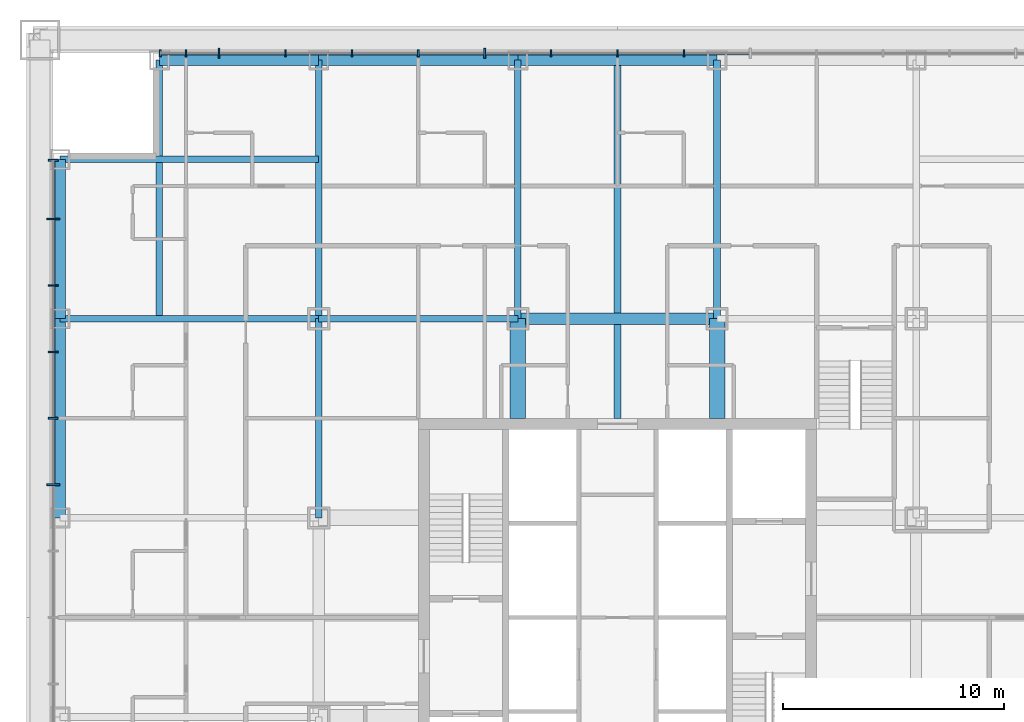
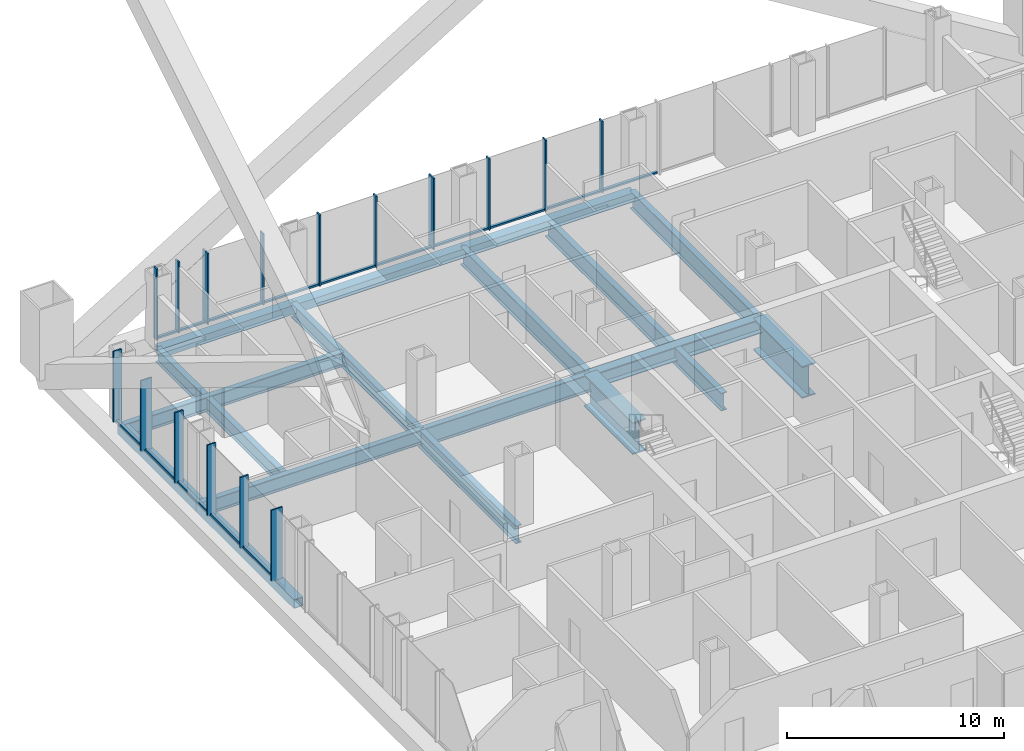
# One storey, part 8 of 21: 31 members, 17 beams, 2 elements without a shape of their own.
"""IFC4 building model written with IfcOpenShell, lengths in metres."""

from ifc_helpers import new_model, si_unit, direction, frame, origin, origin_2d, place, context, subcontext, project, spatial, rectangle, hollow_rectangle, i_section, extrude, material, layer, layer_set, material_profile, profile_set, type_object, element, aggregate, save


model = new_model("IFC4")

# Units and contexts
model_context = context("Model", 3, precision=1e-05, world=origin(), true_north=direction((0.0, 1.0)))
body_context = subcontext(model_context, "Body", "Model", "MODEL_VIEW")
ifc_project = project(units=[si_unit("LENGTHUNIT", "METRE"), si_unit("AREAUNIT", "SQUARE_METRE"), si_unit("VOLUMEUNIT", "CUBIC_METRE"), si_unit("PLANEANGLEUNIT", "RADIAN"), si_unit("MASSUNIT", "GRAM", prefix="KILO")], contexts=[model_context])

# Site, building, storey
site_placement = place(None, origin())
site = spatial("IfcSite", under=ifc_project, at=site_placement, CompositionType="ELEMENT")
building_placement = place(site_placement, origin())
building = spatial("IfcBuilding", under=site, at=building_placement, Name="Malebo Sky Hospital", CompositionType="ELEMENT")
storey_placement = place(building_placement, frame((0.0, 0.0, 31.0)))
storey = spatial("IfcBuildingStorey", under=building, at=storey_placement, Name="L06", CompositionType="ELEMENT", Elevation=31.0)

# Curtain wall, members
ifc_material_1 = material(Name="Anodised aluminium, natural silver", Category="aluminium")
ifc_layer_1 = layer(ifc_material_1, 0.25)
ifc_layer_set_1 = layer_set([ifc_layer_1], Name="WARD CURTAIN WALL NORTH AND SOUTH")
curtain_wall_type_1 = type_object("IfcCurtainWallType", Name="WARD CURTAIN WALL NORTH AND SOUTH", PredefinedType="NOTDEFINED", material=ifc_layer_set_1)
curtain_wall_1_placement = place(storey_placement, origin())
curtain_wall_1 = element("IfcCurtainWall", 1, at=curtain_wall_1_placement, inside=storey, type_object=curtain_wall_type_1, Name="NS curtain wall N", PredefinedType="NOTDEFINED")
ifc_material_profile_1 = material_profile(ifc_material_1, rectangle(XDim=0.14990234375, YDim=0.10009765625, at=origin_2d()), Name="ALUMINIUM TRANSOM 150x100")
ifc_profile_set_1 = profile_set([ifc_material_profile_1], Name="Anodised aluminium, natural silver")
member_type_1 = type_object("IfcMemberType", Name="ALUMINIUM TRANSOM 150x100", PredefinedType="USERDEFINED", material=ifc_profile_set_1)
member_1_placement = place(storey_placement, frame((39.375, 87.5, 0.050048828125), z_axis=(1.0, 0.0, 0.0), x_axis=(0.0, 1.0, 0.0)))
member_1 = element("IfcMember", 2, at=member_1_placement, type_object=member_type_1, Name="Transom 1", ObjectType="TRANSOM", PredefinedType="USERDEFINED", context=body_context, shape_type="SweptSolid", body=[
    extrude(rectangle(XDim=0.14990234375, YDim=0.10009765625, at=origin_2d()), origin(), (0.0, 0.0, 1.0), 1.08740234375),
])
member_2_placement = place(storey_placement, frame((40.53759765625, 87.5, 0.050048828125), z_axis=(1.0, 0.0, 0.0), x_axis=(0.0, 1.0, 0.0)))
member_2 = element("IfcMember", 3, at=member_2_placement, type_object=member_type_1, Name="Transom 2", ObjectType="TRANSOM", PredefinedType="USERDEFINED", context=body_context, shape_type="SweptSolid", body=[
    extrude(rectangle(XDim=0.14990234375, YDim=0.10009765625, at=origin_2d()), origin(), (0.0, 0.0, 1.0), 1.4248046875),
])
member_3_placement = place(storey_placement, frame((42.03759765625, 87.5, 0.050048828125), z_axis=(1.0, 0.0, 0.0), x_axis=(0.0, 1.0, 0.0)))
member_3 = element("IfcMember", 4, at=member_3_placement, type_object=member_type_1, Name="Transom 3", ObjectType="TRANSOM", PredefinedType="USERDEFINED", context=body_context, shape_type="SweptSolid", body=[
    extrude(rectangle(XDim=0.14990234375, YDim=0.10009765625, at=origin_2d()), origin(), (0.0, 0.0, 1.0), 2.9248046875),
])
member_4_placement = place(storey_placement, frame((45.03759765625, 87.5, 0.050048828125), z_axis=(1.0, 0.0, 0.0), x_axis=(0.0, 1.0, 0.0)))
member_4 = element("IfcMember", 5, at=member_4_placement, type_object=member_type_1, Name="Transom 4", ObjectType="TRANSOM", PredefinedType="USERDEFINED", context=body_context, shape_type="SweptSolid", body=[
    extrude(rectangle(XDim=0.14990234375, YDim=0.10009765625, at=origin_2d()), origin(), (0.0, 0.0, 1.0), 2.9248046875),
])
member_5_placement = place(storey_placement, frame((48.03759765625, 87.5, 0.050048828125), z_axis=(1.0, 0.0, 0.0), x_axis=(0.0, 1.0, 0.0)))
member_5 = element("IfcMember", 6, at=member_5_placement, type_object=member_type_1, Name="Transom 5", ObjectType="TRANSOM", PredefinedType="USERDEFINED", context=body_context, shape_type="SweptSolid", body=[
    extrude(rectangle(XDim=0.14990234375, YDim=0.10009765625, at=origin_2d()), origin(), (0.0, 0.0, 1.0), 2.9248046875),
])
member_6_placement = place(storey_placement, frame((51.03759765625, 87.5, 0.050048828125), z_axis=(1.0, 0.0, 0.0), x_axis=(0.0, 1.0, 0.0)))
member_6 = element("IfcMember", 7, at=member_6_placement, type_object=member_type_1, Name="Transom 6", ObjectType="TRANSOM", PredefinedType="USERDEFINED", context=body_context, shape_type="SweptSolid", body=[
    extrude(rectangle(XDim=0.14990234375, YDim=0.10009765625, at=origin_2d()), origin(), (0.0, 0.0, 1.0), 2.9248046875),
])
member_7_placement = place(storey_placement, frame((54.03759765625, 87.5, 0.050048828125), z_axis=(1.0, 0.0, 0.0), x_axis=(0.0, 1.0, 0.0)))
member_7 = element("IfcMember", 8, at=member_7_placement, type_object=member_type_1, Name="Transom 7", ObjectType="TRANSOM", PredefinedType="USERDEFINED", context=body_context, shape_type="SweptSolid", body=[
    extrude(rectangle(XDim=0.14990234375, YDim=0.10009765625, at=origin_2d()), origin(), (0.0, 0.0, 1.0), 2.9248046875),
])
member_8_placement = place(storey_placement, frame((57.03759765625, 87.5, 0.050048828125), z_axis=(1.0, 0.0, 0.0), x_axis=(0.0, 1.0, 0.0)))
member_8 = element("IfcMember", 9, at=member_8_placement, type_object=member_type_1, Name="Transom 8", ObjectType="TRANSOM", PredefinedType="USERDEFINED", context=body_context, shape_type="SweptSolid", body=[
    extrude(rectangle(XDim=0.14990234375, YDim=0.10009765625, at=origin_2d()), origin(), (0.0, 0.0, 1.0), 2.9248046875),
])
member_9_placement = place(storey_placement, frame((60.03759765625, 87.5, 0.050048828125), z_axis=(1.0, 0.0, 0.0), x_axis=(0.0, 1.0, 0.0)))
member_9 = element("IfcMember", 10, at=member_9_placement, type_object=member_type_1, Name="Transom 9", ObjectType="TRANSOM", PredefinedType="USERDEFINED", context=body_context, shape_type="SweptSolid", body=[
    extrude(rectangle(XDim=0.14990234375, YDim=0.10009765625, at=origin_2d()), origin(), (0.0, 0.0, 1.0), 2.9248046875),
])
member_10_placement = place(storey_placement, frame((63.03759765625, 87.5, 0.050048828125), z_axis=(1.0, 0.0, 0.0), x_axis=(0.0, 1.0, 0.0)))
member_10 = element("IfcMember", 11, at=member_10_placement, type_object=member_type_1, Name="Transom 10", ObjectType="TRANSOM", PredefinedType="USERDEFINED", context=body_context, shape_type="SweptSolid", body=[
    extrude(rectangle(XDim=0.14990234375, YDim=0.10009765625, at=origin_2d()), origin(), (0.0, 0.0, 1.0), 2.9248046875),
])

ifc_layer_2 = layer(ifc_material_1, 0.25)
ifc_layer_set_2 = layer_set([ifc_layer_2], Name="WARD CURTAIN WALL EAST AND WEST")
curtain_wall_type_2 = type_object("IfcCurtainWallType", Name="WARD CURTAIN WALL EAST AND WEST", PredefinedType="NOTDEFINED", material=ifc_layer_set_2)
curtain_wall_2_placement = place(storey_placement, origin())
curtain_wall_2 = element("IfcCurtainWall", 12, at=curtain_wall_2_placement, inside=storey, type_object=curtain_wall_type_2, Name="EW curtain wall W", PredefinedType="NOTDEFINED")
member_11_placement = place(storey_placement, frame((34.5, 68.03759765625, 0.050048828125), z_axis=(0.0, 1.0, 0.0), x_axis=(-1.0, 0.0, 0.0)))
member_11 = element("IfcMember", 13, at=member_11_placement, type_object=member_type_1, Name="Transom 11", ObjectType="TRANSOM", PredefinedType="USERDEFINED", context=body_context, shape_type="SweptSolid", body=[
    extrude(rectangle(XDim=0.14990234375, YDim=0.10009765625, at=origin_2d()), origin(), (0.0, 0.0, 1.0), 2.9248046875),
])
member_12_placement = place(storey_placement, frame((34.5, 71.03759765625, 0.050048828125), z_axis=(0.0, 1.0, 0.0), x_axis=(-1.0, 0.0, 0.0)))
member_12 = element("IfcMember", 14, at=member_12_placement, type_object=member_type_1, Name="Transom 12", ObjectType="TRANSOM", PredefinedType="USERDEFINED", context=body_context, shape_type="SweptSolid", body=[
    extrude(rectangle(XDim=0.14990234375, YDim=0.10009765625, at=origin_2d()), origin(), (0.0, 0.0, 1.0), 2.9248046875),
])
member_13_placement = place(storey_placement, frame((34.5, 74.03759765625, 0.050048828125), z_axis=(0.0, 1.0, 0.0), x_axis=(-1.0, 0.0, 0.0)))
member_13 = element("IfcMember", 15, at=member_13_placement, type_object=member_type_1, Name="Transom 13", ObjectType="TRANSOM", PredefinedType="USERDEFINED", context=body_context, shape_type="SweptSolid", body=[
    extrude(rectangle(XDim=0.14990234375, YDim=0.10009765625, at=origin_2d()), origin(), (0.0, 0.0, 1.0), 2.9248046875),
])
member_14_placement = place(storey_placement, frame((34.5, 77.03759765625, 0.050048828125), z_axis=(0.0, 1.0, 0.0), x_axis=(-1.0, 0.0, 0.0)))
member_14 = element("IfcMember", 16, at=member_14_placement, type_object=member_type_1, Name="Transom 14", ObjectType="TRANSOM", PredefinedType="USERDEFINED", context=body_context, shape_type="SweptSolid", body=[
    extrude(rectangle(XDim=0.14990234375, YDim=0.10009765625, at=origin_2d()), origin(), (0.0, 0.0, 1.0), 2.9248046875),
])
member_15_placement = place(storey_placement, frame((34.5, 80.03759765625, 0.050048828125), z_axis=(0.0, 1.0, 0.0), x_axis=(-1.0, 0.0, 0.0)))
member_15 = element("IfcMember", 17, at=member_15_placement, type_object=member_type_1, Name="Transom 15", ObjectType="TRANSOM", PredefinedType="USERDEFINED", context=body_context, shape_type="SweptSolid", body=[
    extrude(rectangle(XDim=0.14990234375, YDim=0.10009765625, at=origin_2d()), origin(), (0.0, 0.0, 1.0), 2.58740234375),
])

# Member
ifc_material_profile_2 = material_profile(ifc_material_1, rectangle(XDim=0.074951171875, YDim=0.300048828125, at=origin_2d()), Name="CW1 ALUMINIUM FIN MULLION 75x300")
ifc_profile_set_2 = profile_set([ifc_material_profile_2], Name="Anodised aluminium, natural silver")
member_type_2 = type_object("IfcMemberType", Name="CW1 ALUMINIUM FIN MULLION 75x300", PredefinedType="MULLION", material=ifc_profile_set_2)
member_16_placement = place(storey_placement, frame((39.33740234375, 87.5, 0.0), z_axis=(0.0, 0.0, 1.0), x_axis=(1.0, 0.0, 0.0)))
member_16 = element("IfcMember", 18, at=member_16_placement, type_object=member_type_2, Name="Fin mullion 1", PredefinedType="MULLION", context=body_context, shape_type="SweptSolid", body=[
    extrude(rectangle(XDim=0.074951171875, YDim=0.300048828125, at=origin_2d()), origin(), (0.0, 0.0, 1.0), 4.0),
])

member_17_placement = place(storey_placement, frame((40.5, 87.5, 0.0), z_axis=(0.0, 0.0, 1.0), x_axis=(1.0, 0.0, 0.0)))
member_17 = element("IfcMember", 19, at=member_17_placement, type_object=member_type_2, Name="Fin mullion 2", PredefinedType="MULLION", context=body_context, shape_type="SweptSolid", body=[
    extrude(rectangle(XDim=0.074951171875, YDim=0.300048828125, at=origin_2d()), origin(), (0.0, 0.0, 1.0), 4.0),
])

member_18_placement = place(storey_placement, frame((45.0, 87.5, 0.0), z_axis=(0.0, 0.0, 1.0), x_axis=(1.0, 0.0, 0.0)))
member_18 = element("IfcMember", 20, at=member_18_placement, type_object=member_type_2, Name="Fin mullion 4", PredefinedType="MULLION", context=body_context, shape_type="SweptSolid", body=[
    extrude(rectangle(XDim=0.074951171875, YDim=0.300048828125, at=origin_2d()), origin(), (0.0, 0.0, 1.0), 4.0),
])

member_19_placement = place(storey_placement, frame((48.0, 87.5, 0.0), z_axis=(0.0, 0.0, 1.0), x_axis=(1.0, 0.0, 0.0)))
member_19 = element("IfcMember", 21, at=member_19_placement, type_object=member_type_2, Name="Fin mullion 5", PredefinedType="MULLION", context=body_context, shape_type="SweptSolid", body=[
    extrude(rectangle(XDim=0.074951171875, YDim=0.300048828125, at=origin_2d()), origin(), (0.0, 0.0, 1.0), 4.0),
])

member_20_placement = place(storey_placement, frame((51.0, 87.5, 0.0), z_axis=(0.0, 0.0, 1.0), x_axis=(1.0, 0.0, 0.0)))
member_20 = element("IfcMember", 22, at=member_20_placement, type_object=member_type_2, Name="Fin mullion 6", PredefinedType="MULLION", context=body_context, shape_type="SweptSolid", body=[
    extrude(rectangle(XDim=0.074951171875, YDim=0.300048828125, at=origin_2d()), origin(), (0.0, 0.0, 1.0), 4.0),
])

member_21_placement = place(storey_placement, frame((57.0, 87.5, 0.0), z_axis=(0.0, 0.0, 1.0), x_axis=(1.0, 0.0, 0.0)))
member_21 = element("IfcMember", 23, at=member_21_placement, type_object=member_type_2, Name="Fin mullion 8", PredefinedType="MULLION", context=body_context, shape_type="SweptSolid", body=[
    extrude(rectangle(XDim=0.074951171875, YDim=0.300048828125, at=origin_2d()), origin(), (0.0, 0.0, 1.0), 4.0),
])

member_22_placement = place(storey_placement, frame((60.0, 87.5, 0.0), z_axis=(0.0, 0.0, 1.0), x_axis=(1.0, 0.0, 0.0)))
member_22 = element("IfcMember", 24, at=member_22_placement, type_object=member_type_2, Name="Fin mullion 9", PredefinedType="MULLION", context=body_context, shape_type="SweptSolid", body=[
    extrude(rectangle(XDim=0.074951171875, YDim=0.300048828125, at=origin_2d()), origin(), (0.0, 0.0, 1.0), 4.0),
])

member_23_placement = place(storey_placement, frame((63.0, 87.5, 0.0), z_axis=(0.0, 0.0, 1.0), x_axis=(1.0, 0.0, 0.0)))
member_23 = element("IfcMember", 25, at=member_23_placement, type_object=member_type_2, Name="Fin mullion 10", PredefinedType="MULLION", context=body_context, shape_type="SweptSolid", body=[
    extrude(rectangle(XDim=0.074951171875, YDim=0.300048828125, at=origin_2d()), origin(), (0.0, 0.0, 1.0), 4.0),
])

ifc_material_profile_3 = material_profile(ifc_material_1, rectangle(XDim=0.074951171875, YDim=0.449951171875, at=origin_2d()), Name="CW1 ALUMINIUM FIN MULLION 75x450")
ifc_profile_set_3 = profile_set([ifc_material_profile_3], Name="Anodised aluminium, natural silver")
member_type_3 = type_object("IfcMemberType", Name="CW1 ALUMINIUM FIN MULLION 75x450", PredefinedType="MULLION", material=ifc_profile_set_3)
member_24_placement = place(storey_placement, frame((42.0, 87.5, 0.0), z_axis=(0.0, 0.0, 1.0), x_axis=(1.0, 0.0, 0.0)))
member_24 = element("IfcMember", 26, at=member_24_placement, type_object=member_type_3, Name="Fin mullion 3", PredefinedType="MULLION", context=body_context, shape_type="SweptSolid", body=[
    extrude(rectangle(XDim=0.074951171875, YDim=0.449951171875, at=origin_2d()), origin(), (0.0, 0.0, 1.0), 4.0),
])

member_25_placement = place(storey_placement, frame((54.0, 87.5, 0.0), z_axis=(0.0, 0.0, 1.0), x_axis=(1.0, 0.0, 0.0)))
member_25 = element("IfcMember", 27, at=member_25_placement, type_object=member_type_3, Name="Fin mullion 7", PredefinedType="MULLION", context=body_context, shape_type="SweptSolid", body=[
    extrude(rectangle(XDim=0.074951171875, YDim=0.449951171875, at=origin_2d()), origin(), (0.0, 0.0, 1.0), 4.0),
])

aggregate(curtain_wall_1, [member_16, member_17, member_24, member_18, member_19, member_20, member_25, member_21, member_22, member_23, member_1, member_2, member_3, member_4, member_5, member_6, member_7, member_8, member_9, member_10])

ifc_material_profile_4 = material_profile(ifc_material_1, rectangle(XDim=0.074951171875, YDim=0.449951171875, at=origin_2d()), Name="CW2 ALUMINIUM FIN MULLION 75x450")
ifc_profile_set_4 = profile_set([ifc_material_profile_4], Name="Anodised aluminium, natural silver")
member_type_4 = type_object("IfcMemberType", Name="CW2 ALUMINIUM FIN MULLION 75x450", PredefinedType="MULLION", material=ifc_profile_set_4)
member_26_placement = place(storey_placement, frame((34.5, 71.0, 0.0), z_axis=(0.0, 0.0, 1.0), x_axis=(0.0, 1.0, 0.0)))
member_26 = element("IfcMember", 28, at=member_26_placement, type_object=member_type_4, Name="Fin mullion 12", PredefinedType="MULLION", context=body_context, shape_type="SweptSolid", body=[
    extrude(rectangle(XDim=0.074951171875, YDim=0.449951171875, at=origin_2d()), origin(), (0.0, 0.0, 1.0), 4.0),
])

member_27_placement = place(storey_placement, frame((34.5, 74.0, 0.0), z_axis=(0.0, 0.0, 1.0), x_axis=(0.0, 1.0, 0.0)))
member_27 = element("IfcMember", 29, at=member_27_placement, type_object=member_type_4, Name="Fin mullion 13", PredefinedType="MULLION", context=body_context, shape_type="SweptSolid", body=[
    extrude(rectangle(XDim=0.074951171875, YDim=0.449951171875, at=origin_2d()), origin(), (0.0, 0.0, 1.0), 4.0),
])

member_28_placement = place(storey_placement, frame((34.5, 77.0, 0.0), z_axis=(0.0, 0.0, 1.0), x_axis=(0.0, 1.0, 0.0)))
member_28 = element("IfcMember", 30, at=member_28_placement, type_object=member_type_4, Name="Fin mullion 14", PredefinedType="MULLION", context=body_context, shape_type="SweptSolid", body=[
    extrude(rectangle(XDim=0.074951171875, YDim=0.449951171875, at=origin_2d()), origin(), (0.0, 0.0, 1.0), 4.0),
])

member_29_placement = place(storey_placement, frame((34.5, 82.66259765625, 0.0), z_axis=(0.0, 0.0, 1.0), x_axis=(0.0, 1.0, 0.0)))
member_29 = element("IfcMember", 31, at=member_29_placement, type_object=member_type_4, Name="Fin mullion 16", PredefinedType="MULLION", context=body_context, shape_type="SweptSolid", body=[
    extrude(rectangle(XDim=0.074951171875, YDim=0.449951171875, at=origin_2d()), origin(), (0.0, 0.0, 1.0), 4.0),
])

ifc_material_profile_5 = material_profile(ifc_material_1, rectangle(XDim=0.074951171875, YDim=0.60009765625, at=origin_2d()), Name="CW2 ALUMINIUM FIN MULLION 75x600")
ifc_profile_set_5 = profile_set([ifc_material_profile_5], Name="Anodised aluminium, natural silver")
member_type_5 = type_object("IfcMemberType", Name="CW2 ALUMINIUM FIN MULLION 75x600", PredefinedType="MULLION", material=ifc_profile_set_5)
member_30_placement = place(storey_placement, frame((34.5, 68.0, 0.0), z_axis=(0.0, 0.0, 1.0), x_axis=(0.0, 1.0, 0.0)))
member_30 = element("IfcMember", 32, at=member_30_placement, type_object=member_type_5, Name="Fin mullion 11", PredefinedType="MULLION", context=body_context, shape_type="SweptSolid", body=[
    extrude(rectangle(XDim=0.074951171875, YDim=0.60009765625, at=origin_2d()), origin(), (0.0, 0.0, 1.0), 4.0),
])

member_31_placement = place(storey_placement, frame((34.5, 80.0, 0.0), z_axis=(0.0, 0.0, 1.0), x_axis=(0.0, 1.0, 0.0)))
member_31 = element("IfcMember", 33, at=member_31_placement, type_object=member_type_5, Name="Fin mullion 15", PredefinedType="MULLION", context=body_context, shape_type="SweptSolid", body=[
    extrude(rectangle(XDim=0.074951171875, YDim=0.60009765625, at=origin_2d()), origin(), (0.0, 0.0, 1.0), 4.0),
])

aggregate(curtain_wall_2, [member_30, member_26, member_27, member_28, member_31, member_29, member_11, member_12, member_13, member_14, member_15])

# Beams
ifc_material_2 = material(Name="Steel S460", Category="steel")
ifc_material_profile_6 = material_profile(ifc_material_2, hollow_rectangle(XDim=0.5, YDim=0.5, WallThickness=0.030029296875, at=origin_2d()), Name="BOX 500x500x30")
ifc_profile_set_6 = profile_set([ifc_material_profile_6], Name="Steel S460")
beam_type_1 = type_object("IfcBeamType", Name="EDGE BEAM BOX 500x500x30", PredefinedType="BEAM", material=ifc_profile_set_6)
beam_1_placement = place(storey_placement, frame((34.800048828125, 66.5, -0.5), z_axis=(0.0, 1.0, 0.0), x_axis=(-1.0, 0.0, 0.0)))
element("IfcBeam", 34, at=beam_1_placement, inside=storey, type_object=beam_type_1, Name="Beam 003 L06", PredefinedType="BEAM", context=body_context, shape_type="SweptSolid", body=[
    extrude(hollow_rectangle(XDim=0.5, YDim=0.5, WallThickness=0.030029296875, at=origin_2d()), origin(), (0.0, 0.0, 1.0), 9.0),
])
for number, where, z_axis, x_axis, name in (
    (35, (34.800048828125, 75.5, -0.5), (0.0, 1.0, 0.0), (-1.0, 0.0, 0.0), "Beam 004 L06"),
    (36, (39.300048828125, 87.199951171875, -0.5), (1.0, 0.0, 0.0), (0.0, 1.0, 0.0), "Beam 063 L06"),
):
    element("IfcBeam", number, at=place(storey_placement, frame(where, z_axis=z_axis, x_axis=x_axis)), inside=storey, type_object=beam_type_1, Name=name, PredefinedType="BEAM", context=body_context, shape_type="SweptSolid", body=[
        extrude(hollow_rectangle(XDim=0.5, YDim=0.5, WallThickness=0.030029296875, at=origin_2d()), origin(), (0.0, 0.0, 1.0), 7.199951171875),
    ])
for number, where, z_axis, x_axis, name in (
    (37, (46.5, 87.199951171875, -0.5), (1.0, 0.0, 0.0), (0.0, 1.0, 0.0), "Beam 064 L06"),
    (38, (55.5, 87.199951171875, -0.5), (1.0, 0.0, 0.0), (0.0, 1.0, 0.0), "Beam 065 L06"),
):
    element("IfcBeam", number, at=place(storey_placement, frame(where, z_axis=z_axis, x_axis=x_axis)), inside=storey, type_object=beam_type_1, Name=name, PredefinedType="BEAM", context=body_context, shape_type="SweptSolid", body=[
        extrude(hollow_rectangle(XDim=0.5, YDim=0.5, WallThickness=0.030029296875, at=origin_2d()), origin(), (0.0, 0.0, 1.0), 9.0),
    ])
ifc_material_3 = material(Name="Steel S355", Category="steel")
ifc_material_profile_7 = material_profile(ifc_material_3, i_section(OverallWidth=0.300048828125, OverallDepth=1.0, WebThickness=0.01904296875, FlangeThickness=0.035888671875, FilletRadius=0.030029296875, at=origin_2d()), Name="HEB 1000")
ifc_profile_set_7 = profile_set([ifc_material_profile_7], Name="Steel S355")
beam_type_2 = type_object("IfcBeamType", Name="FLOOR BEAM HEB 1000", PredefinedType="BEAM", material=ifc_profile_set_7)
beam_2_placement = place(storey_placement, frame((46.5, 66.5, -0.75), z_axis=(0.0, 1.0, 0.0), x_axis=(-1.0, 0.0, 0.0)))
element("IfcBeam", 39, at=beam_2_placement, inside=storey, type_object=beam_type_2, Name="Beam 010 L06", PredefinedType="BEAM", context=body_context, shape_type="SweptSolid", body=[
    extrude(i_section(OverallWidth=0.300048828125, OverallDepth=1.0, WebThickness=0.01904296875, FlangeThickness=0.035888671875, FilletRadius=0.030029296875, at=origin_2d()), origin(), (0.0, 0.0, 1.0), 9.0),
])
beam_3_placement = place(storey_placement, frame((55.5, 75.5, -0.75), z_axis=(0.0, 1.0, 0.0), x_axis=(-1.0, 0.0, 0.0)))
element("IfcBeam", 40, at=beam_3_placement, inside=storey, type_object=beam_type_2, Name="Beam 015 L06", PredefinedType="BEAM", context=body_context, shape_type="SweptSolid", body=[
    extrude(i_section(OverallWidth=0.300048828125, OverallDepth=1.0, WebThickness=0.01904296875, FlangeThickness=0.035888671875, FilletRadius=0.030029296875, at=origin_2d()), origin(), (0.0, 0.0, 1.0), 11.699951171875),
])
beam_4_placement = place(storey_placement, frame((60.0, 71.0, -0.75), z_axis=(0.0, 1.0, 0.0), x_axis=(-1.0, 0.0, 0.0)))
element("IfcBeam", 41, at=beam_4_placement, inside=storey, type_object=beam_type_2, Name="Beam 017 L06", PredefinedType="BEAM", context=body_context, shape_type="SweptSolid", body=[
    extrude(i_section(OverallWidth=0.300048828125, OverallDepth=1.0, WebThickness=0.01904296875, FlangeThickness=0.035888671875, FilletRadius=0.030029296875, at=origin_2d()), origin(), (0.0, 0.0, 1.0), 16.199951171875),
])
beam_5_placement = place(storey_placement, frame((64.5, 75.5, -0.75), z_axis=(0.0, 1.0, 0.0), x_axis=(-1.0, 0.0, 0.0)))
element("IfcBeam", 42, at=beam_5_placement, inside=storey, type_object=beam_type_2, Name="Beam 021 L06", PredefinedType="BEAM", context=body_context, shape_type="SweptSolid", body=[
    extrude(i_section(OverallWidth=0.300048828125, OverallDepth=1.0, WebThickness=0.01904296875, FlangeThickness=0.035888671875, FilletRadius=0.030029296875, at=origin_2d()), origin(), (0.0, 0.0, 1.0), 11.699951171875),
])
beam_6_placement = place(storey_placement, frame((46.5, 75.5, -0.75), z_axis=(1.0, 0.0, 0.0), x_axis=(0.0, 1.0, 0.0)))
element("IfcBeam", 43, at=beam_6_placement, inside=storey, type_object=beam_type_2, Name="Beam 057 L06", PredefinedType="BEAM", context=body_context, shape_type="SweptSolid", body=[
    extrude(i_section(OverallWidth=0.300048828125, OverallDepth=1.0, WebThickness=0.01904296875, FlangeThickness=0.035888671875, FilletRadius=0.030029296875, at=origin_2d()), origin(), (0.0, 0.0, 1.0), 9.0),
])
ifc_material_profile_8 = material_profile(ifc_material_3, i_section(OverallWidth=0.300048828125, OverallDepth=0.800048828125, WebThickness=0.017578125, FlangeThickness=0.032958984375, FilletRadius=0.030029296875, at=origin_2d()), Name="HEB 800")
ifc_profile_set_8 = profile_set([ifc_material_profile_8], Name="Steel S355")
beam_type_3 = type_object("IfcBeamType", Name="FLOOR BEAM HEB 800", PredefinedType="BEAM", material=ifc_profile_set_8)
for number, where, z_axis, x_axis, name in (
    (44, (39.300048828125, 75.5, -0.64990234375), (0.0, 1.0, 0.0), (-1.0, 0.0, 0.0), "Beam 006 L06"),
    (45, (34.800048828125, 82.699951171875, -0.64990234375), (1.0, 0.0, 0.0), (0.0, 1.0, 0.0), "Beam 061 L06"),
):
    element("IfcBeam", number, at=place(storey_placement, frame(where, z_axis=z_axis, x_axis=x_axis)), inside=storey, type_object=beam_type_3, Name=name, PredefinedType="BEAM", context=body_context, shape_type="SweptSolid", body=[
        extrude(i_section(OverallWidth=0.300048828125, OverallDepth=0.800048828125, WebThickness=0.017578125, FlangeThickness=0.032958984375, FilletRadius=0.030029296875, at=origin_2d()), origin(), (0.0, 0.0, 1.0), 11.699951171875),
    ])
ifc_material_profile_9 = material_profile(ifc_material_3, i_section(OverallWidth=0.699951171875, OverallDepth=1.800048828125, WebThickness=0.034912109375, FlangeThickness=0.070068359375, at=origin_2d()), Name="PG 1800x700x35x70")
ifc_profile_set_9 = profile_set([ifc_material_profile_9], Name="Steel S355")
beam_type_4 = type_object("IfcBeamType", Name="FLOOR BEAM PG 1800x700x35x70", PredefinedType="BEAM", material=ifc_profile_set_9)
for number, where, z_axis, x_axis, name in (
    (46, (55.5, 71.0, -1.14990234375), (0.0, 1.0, 0.0), (-1.0, 0.0, 0.0), "Beam 014 L06"),
    (47, (64.5, 71.0, -1.14990234375), (0.0, 1.0, 0.0), (-1.0, 0.0, 0.0), "Beam 020 L06"),
):
    element("IfcBeam", number, at=place(storey_placement, frame(where, z_axis=z_axis, x_axis=x_axis)), inside=storey, type_object=beam_type_4, Name=name, PredefinedType="BEAM", context=body_context, shape_type="SweptSolid", body=[
        extrude(i_section(OverallWidth=0.699951171875, OverallDepth=1.800048828125, WebThickness=0.034912109375, FlangeThickness=0.070068359375, at=origin_2d()), origin(), (0.0, 0.0, 1.0), 4.5),
    ])
ifc_material_profile_10 = material_profile(ifc_material_3, i_section(OverallWidth=0.300048828125, OverallDepth=0.800048828125, WebThickness=0.017578125, FlangeThickness=0.032958984375, FilletRadius=0.030029296875, at=origin_2d()), Name="HEB 800")
ifc_profile_set_10 = profile_set([ifc_material_profile_10], Name="Steel S355")
beam_type_5 = type_object("IfcBeamType", Name="FLOOR GIRDER HEB 800", PredefinedType="BEAM", material=ifc_profile_set_10)
for number, where, z_axis, x_axis, name in (
    (48, (46.5, 75.5, -0.64990234375), (0.0, 1.0, 0.0), (-1.0, 0.0, 0.0), "Beam 011 L06"),
    (49, (34.800048828125, 75.5, -0.64990234375), (1.0, 0.0, 0.0), (0.0, 1.0, 0.0), "Beam 056 L06"),
):
    element("IfcBeam", number, at=place(storey_placement, frame(where, z_axis=z_axis, x_axis=x_axis)), inside=storey, type_object=beam_type_5, Name=name, PredefinedType="BEAM", context=body_context, shape_type="SweptSolid", body=[
        extrude(i_section(OverallWidth=0.300048828125, OverallDepth=0.800048828125, WebThickness=0.017578125, FlangeThickness=0.032958984375, FilletRadius=0.030029296875, at=origin_2d()), origin(), (0.0, 0.0, 1.0), 11.699951171875),
    ])
ifc_material_profile_11 = material_profile(ifc_material_3, i_section(OverallWidth=0.5, OverallDepth=0.800048828125, WebThickness=0.030029296875, FlangeThickness=0.050048828125, at=origin_2d()), Name="PG 800x500x30x50")
ifc_profile_set_11 = profile_set([ifc_material_profile_11], Name="Steel S355")
beam_type_6 = type_object("IfcBeamType", Name="RING GIRDER PG 800x500x30x50", PredefinedType="BEAM", material=ifc_profile_set_11)
beam_7_placement = place(storey_placement, frame((55.5, 75.5, -0.64990234375), z_axis=(1.0, 0.0, 0.0), x_axis=(0.0, 1.0, 0.0)))
element("IfcBeam", 50, at=beam_7_placement, inside=storey, type_object=beam_type_6, Name="Beam 058 L06", PredefinedType="BEAM", context=body_context, shape_type="SweptSolid", body=[
    extrude(i_section(OverallWidth=0.5, OverallDepth=0.800048828125, WebThickness=0.030029296875, FlangeThickness=0.050048828125, at=origin_2d()), origin(), (0.0, 0.0, 1.0), 9.0),
])

save(model, "model.ifc")
